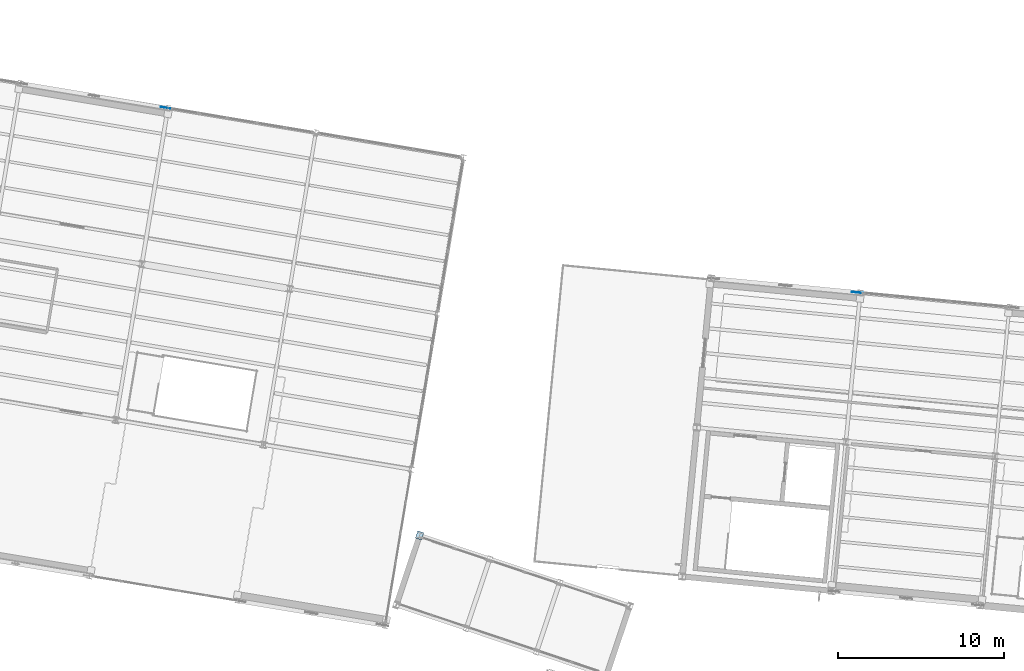
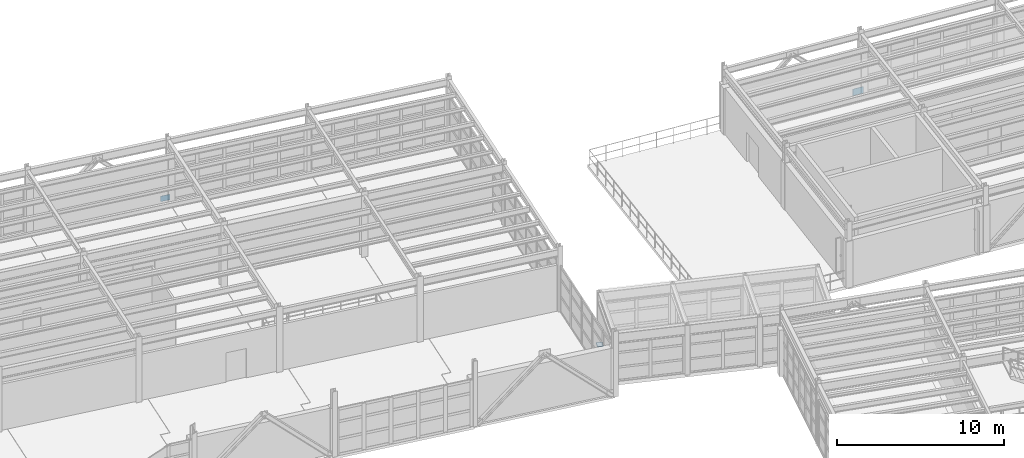
# One storey, part 81 of 102: 3 plates.
"""IFC4 building model written with IfcOpenShell, lengths in metres."""

from ifc_helpers import new_model, si_unit, direction, frame, origin, origin_2d, place, context, subcontext, project, spatial, rectangle, extrude, material, layer, layer_set, type_object, element, save


model = new_model("IFC4")

# Units and contexts
model_context = context("Model", 3, precision=1e-05, world=origin(), true_north=direction((0.0, 1.0)))
body_context = subcontext(model_context, "Body", "Model", "MODEL_VIEW")
ifc_project = project(units=[si_unit("LENGTHUNIT", "METRE"), si_unit("AREAUNIT", "SQUARE_METRE"), si_unit("VOLUMEUNIT", "CUBIC_METRE"), si_unit("PLANEANGLEUNIT", "RADIAN"), si_unit("MASSUNIT", "GRAM", prefix="KILO")], contexts=[model_context])

# Site, building, storey
site_placement = place(None, origin())
site = spatial("IfcSite", under=ifc_project, at=site_placement, CompositionType="ELEMENT")
building_placement = place(site_placement, origin())
building = spatial("IfcBuilding", under=site, at=building_placement, Name="Vireo Bluff Cable Station", CompositionType="ELEMENT")
storey_placement = place(building_placement, frame((0.0, 0.0, 9.60009765625)))
storey = spatial("IfcBuildingStorey", under=building, at=storey_placement, Name="L02", CompositionType="ELEMENT", Elevation=9.60009765625)

# Plates
ifc_material = material(Name="Steel ASTM A572 Gr. 50", Category="steel")
ifc_layer_1 = layer(ifc_material, 0.02392578125, Name="Steel ASTM A572 Gr. 50")
ifc_layer_set_1 = layer_set([ifc_layer_1], Name="Steel ASTM A572 Gr. 50")
plate_type_1 = type_object("IfcPlateType", Name="GUSSET-580X400X24", PredefinedType="USERDEFINED", material=ifc_layer_set_1)
plate_1_placement = place(storey_placement, frame((36.67578125, 95.17919921875, 0.02001953125), z_axis=(0.0, 0.0, 1.0), x_axis=(0.986285601537, -0.165047605861, 0.0)))
element("IfcPlate", 1, at=plate_1_placement, inside=storey, type_object=plate_type_1, Name="V4 L02 brace base gusset plate 204", ObjectType="GUSSET PLATE", PredefinedType="USERDEFINED", context=body_context, shape_type="SweptSolid", body=[
    extrude(rectangle(XDim=0.580078125, YDim=0.02392578125, at=origin_2d()), origin(), (0.0, 0.0, 1.0), 0.39990234375),
])
ifc_layer_2 = layer(ifc_material, 0.030029296875, Name="Steel ASTM A572 Gr. 50")
ifc_layer_set_2 = layer_set([ifc_layer_2], Name="Steel ASTM A572 Gr. 50")
plate_type_2 = type_object("IfcPlateType", Name="GUSSET-700X480X30", PredefinedType="USERDEFINED", material=ifc_layer_set_2)
plate_2_placement = place(storey_placement, frame((78.2626953125, 84.07373046875, -0.02001953125), z_axis=(0.0, 0.0, 1.0), x_axis=(0.995396198367, -0.09584575252, 0.0)))
element("IfcPlate", 2, at=plate_2_placement, inside=storey, type_object=plate_type_2, Name="V3 L02 brace base gusset plate 147", ObjectType="GUSSET PLATE", PredefinedType="USERDEFINED", context=body_context, shape_type="SweptSolid", body=[
    extrude(rectangle(XDim=0.699951171875, YDim=0.030029296875, at=origin_2d()), origin(), (0.0, 0.0, 1.0), 0.47998046875),
])
ifc_layer_3 = layer(ifc_material, 0.0400390625, Name="Steel ASTM A572 Gr. 50")
ifc_layer_set_3 = layer_set([ifc_layer_3], Name="Steel ASTM A572 Gr. 50")
plate_type_3 = type_object("IfcPlateType", Name="SKYBR-SEAT-380X460X40", PredefinedType="SHEET", material=ifc_layer_set_3)
plate_3_placement = place(storey_placement, frame((51.948974609375, 69.478515625, -0.300048828125), z_axis=(0.0, 0.0, 1.0), x_axis=(0.948104710889, -0.317958263284, 0.0)))
element("IfcPlate", 3, at=plate_3_placement, inside=storey, type_object=plate_type_3, Name="CABIN-TRANSFER skybridge 380mm sliding bearing seat AR", PredefinedType="SHEET", context=body_context, shape_type="SweptSolid", body=[
    extrude(rectangle(XDim=0.3798828125, YDim=0.4599609375, at=origin_2d()), origin(), (0.0, 0.0, 1.0), 0.0400390625),
])

save(model, "model.ifc")
